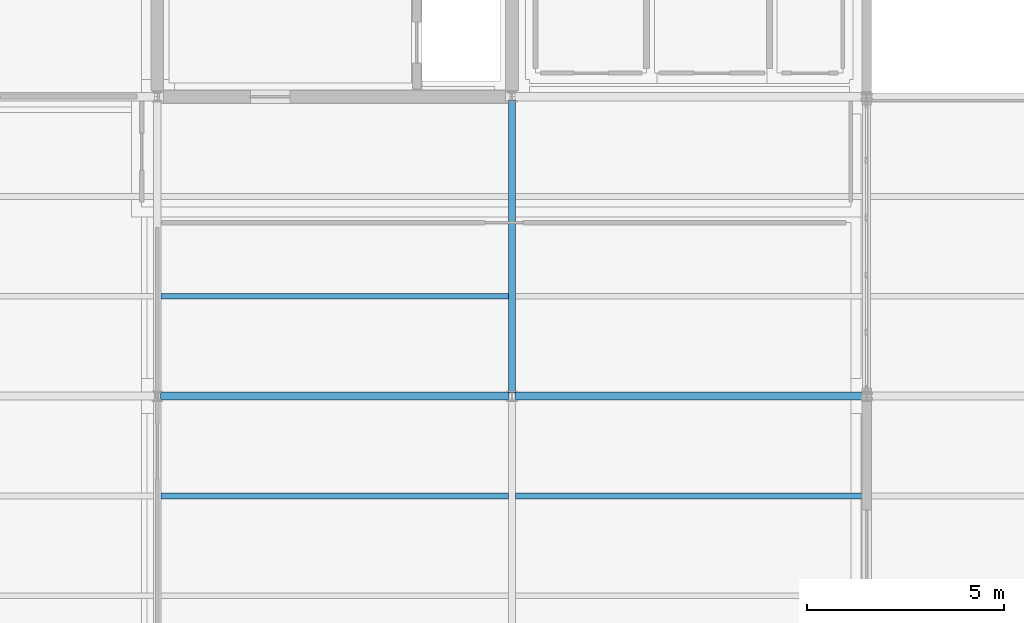
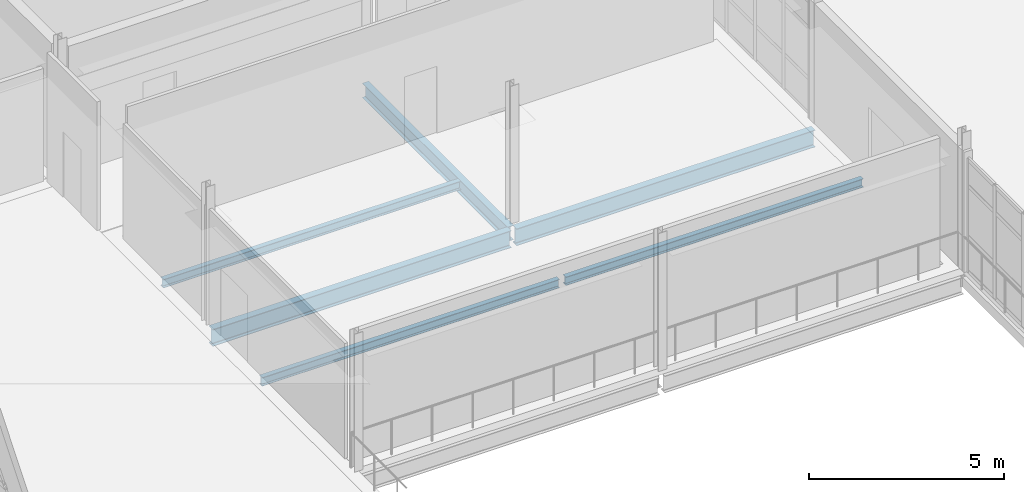
# One storey, part 27 of 48: 6 beams.
"""IFC4 building model written with IfcOpenShell, lengths in metres."""

from ifc_helpers import new_model, si_unit, direction, frame, origin, origin_2d, place, context, subcontext, project, spatial, i_section, extrude, material, material_profile, profile_set, type_object, element, save


model = new_model("IFC4")

# Units and contexts
model_context = context("Model", 3, precision=1e-05, world=origin(), true_north=direction((0.0, 1.0)))
body_context = subcontext(model_context, "Body", "Model", "MODEL_VIEW")
ifc_project = project(units=[si_unit("LENGTHUNIT", "METRE"), si_unit("AREAUNIT", "SQUARE_METRE"), si_unit("VOLUMEUNIT", "CUBIC_METRE"), si_unit("PLANEANGLEUNIT", "RADIAN"), si_unit("MASSUNIT", "GRAM", prefix="KILO")], contexts=[model_context])

# Site, building, storey
site_placement = place(None, origin())
site = spatial("IfcSite", under=ifc_project, at=site_placement, CompositionType="ELEMENT")
building_placement = place(site_placement, origin())
building = spatial("IfcBuilding", under=site, at=building_placement, Name="Caisbarro Railhouse Central Library", CompositionType="ELEMENT")
storey_placement = place(building_placement, frame((0.0, 0.0, 18.0)))
storey = spatial("IfcBuildingStorey", under=building, at=storey_placement, Name="L04", CompositionType="ELEMENT", Elevation=18.0)

# Beams
ifc_material = material(Name="Steel ASTM A572 Grade 50", Category="steel")
ifc_material_profile_1 = material_profile(ifc_material, i_section(OverallWidth=0.208984375, OverallDepth=0.532958984375, WebThickness=0.01025390625, FlangeThickness=0.015625, FilletRadius=0.02001953125, at=origin_2d()), Name="W530X92.0")
ifc_profile_set_1 = profile_set([ifc_material_profile_1], Name="Steel ASTM A572 Grade 50")
beam_type_1 = type_object("IfcBeamType", Name="BM-G06", PredefinedType="BEAM", material=ifc_profile_set_1)
for number, where, z_axis, x_axis, name in (
    (1, (126.080078125, 98.800048828125, -0.486572265625), (1.0, 0.0, 0.0), (0.0, 1.0, 0.0), "G06 beam L04 #2086"),
    (2, (135.080078125, 98.800048828125, -0.486572265625), (1.0, 0.0, 0.0), (0.0, 1.0, 0.0), "G06 beam L04 #2087"),
):
    element("IfcBeam", number, at=place(storey_placement, frame(where, z_axis=z_axis, x_axis=x_axis)), inside=storey, type_object=beam_type_1, Name=name, PredefinedType="BEAM", context=body_context, shape_type="SweptSolid", body=[
        extrude(i_section(OverallWidth=0.208984375, OverallDepth=0.532958984375, WebThickness=0.01025390625, FlangeThickness=0.015625, FilletRadius=0.02001953125, at=origin_2d()), origin(), (0.0, 0.0, 1.0), 8.83984375),
    ])
ifc_material_profile_2 = material_profile(ifc_material, i_section(OverallWidth=0.18994140625, OverallDepth=0.45703125, WebThickness=0.009033203125, FlangeThickness=0.014404296875, FilletRadius=0.01806640625, at=origin_2d()), Name="W460X74.0")
ifc_profile_set_2 = profile_set([ifc_material_profile_2], Name="Steel ASTM A572 Grade 50")
beam_type_2 = type_object("IfcBeamType", Name="BM-G08", PredefinedType="BEAM", material=ifc_profile_set_2)
beam_1_placement = place(storey_placement, frame((135.0, 98.8798828125, -0.448486328125), z_axis=(0.0, 1.0, 0.0), x_axis=(-1.0, 0.0, 0.0)))
element("IfcBeam", 3, at=beam_1_placement, inside=storey, type_object=beam_type_2, Name="G08 beam L04 #2108", PredefinedType="BEAM", context=body_context, shape_type="SweptSolid", body=[
    extrude(i_section(OverallWidth=0.18994140625, OverallDepth=0.45703125, WebThickness=0.009033203125, FlangeThickness=0.014404296875, FilletRadius=0.01806640625, at=origin_2d()), origin(), (0.0, 0.0, 1.0), 7.440185546875),
])
ifc_material_profile_3 = material_profile(ifc_material, i_section(OverallWidth=0.14794921875, OverallDepth=0.26611328125, WebThickness=0.007568359375, FlangeThickness=0.012939453125, FilletRadius=0.010009765625, at=origin_2d()), Name="W250X44.8")
ifc_profile_set_3 = profile_set([ifc_material_profile_3], Name="Steel ASTM A572 Grade 50")
beam_type_3 = type_object("IfcBeamType", Name="BM-J04", PredefinedType="JOIST", material=ifc_profile_set_3)
for number, where, z_axis, x_axis, name in (
    (4, (126.094970703125, 96.2666015625, -0.35302734375), (1.0, 0.0, 0.0), (0.0, 1.0, 0.0), "J04 beam L04 #2131"),
    (5, (126.094970703125, 101.333251953125, -0.35302734375), (1.0, 0.0, 0.0), (0.0, 1.0, 0.0), "J04 beam L04 #2132"),
):
    element("IfcBeam", number, at=place(storey_placement, frame(where, z_axis=z_axis, x_axis=x_axis)), inside=storey, type_object=beam_type_3, Name=name, PredefinedType="JOIST", context=body_context, shape_type="SweptSolid", body=[
        extrude(i_section(OverallWidth=0.14794921875, OverallDepth=0.26611328125, WebThickness=0.007568359375, FlangeThickness=0.012939453125, FilletRadius=0.010009765625, at=origin_2d()), origin(), (0.0, 0.0, 1.0), 8.81005859375),
    ])
beam_2_placement = place(storey_placement, frame((135.094970703125, 96.2666015625, -0.35302734375), z_axis=(1.0, 0.0, 0.0), x_axis=(0.0, 1.0, 0.0)))
element("IfcBeam", 6, at=beam_2_placement, inside=storey, type_object=beam_type_3, Name="J04 beam L04 #2135", PredefinedType="JOIST", context=body_context, shape_type="SweptSolid", body=[
    extrude(i_section(OverallWidth=0.14794921875, OverallDepth=0.26611328125, WebThickness=0.007568359375, FlangeThickness=0.012939453125, FilletRadius=0.010009765625, at=origin_2d()), origin(), (0.0, 0.0, 1.0), 8.804931640625),
])

save(model, "model.ifc")
